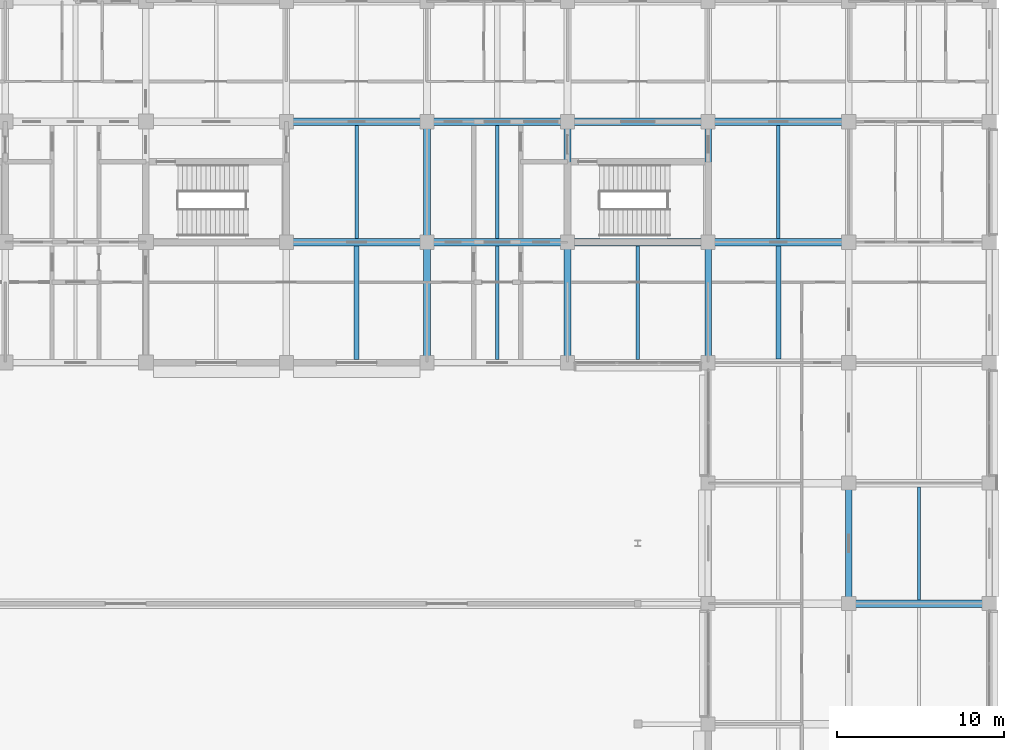
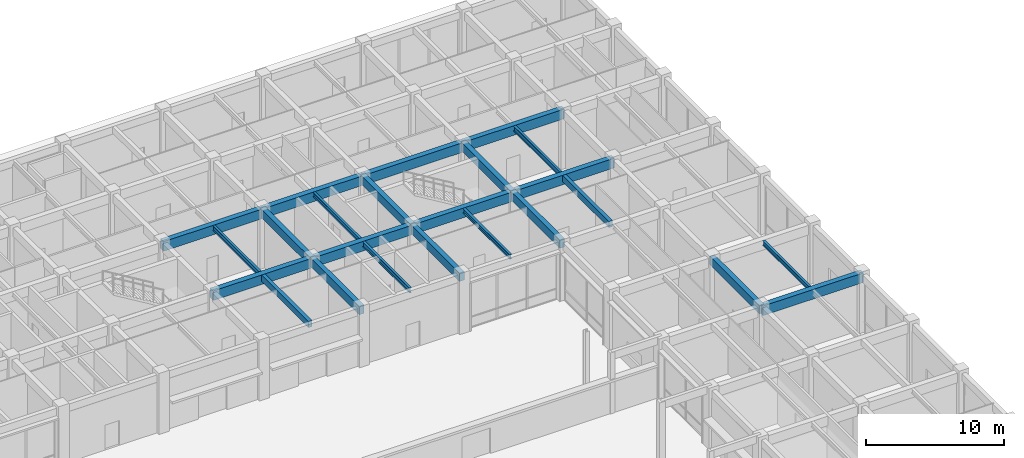
# One storey, part 29 of 73: 24 beams.
"""IFC4 building model written with IfcOpenShell, lengths in metres."""

from ifc_helpers import new_model, si_unit, direction, frame, origin, origin_2d, place, context, subcontext, project, spatial, rectangle, i_section, extrude, material, material_profile, profile_set, type_object, element, save


model = new_model("IFC4")

# Units and contexts
model_context = context("Model", 3, precision=1e-05, world=origin(), true_north=direction((0.0, 1.0)))
body_context = subcontext(model_context, "Body", "Model", "MODEL_VIEW")
ifc_project = project(units=[si_unit("LENGTHUNIT", "METRE"), si_unit("AREAUNIT", "SQUARE_METRE"), si_unit("VOLUMEUNIT", "CUBIC_METRE"), si_unit("PLANEANGLEUNIT", "RADIAN"), si_unit("MASSUNIT", "GRAM", prefix="KILO")], contexts=[model_context])

# Site, building, storey
site_placement = place(None, origin())
site = spatial("IfcSite", under=ifc_project, at=site_placement, CompositionType="ELEMENT")
building_placement = place(site_placement, origin())
building = spatial("IfcBuilding", under=site, at=building_placement, Name="Chengyuan Square Courthouse", CompositionType="ELEMENT")
storey_placement = place(building_placement, origin())
storey = spatial("IfcBuildingStorey", under=building, at=storey_placement, Name="L01", CompositionType="ELEMENT", Elevation=0.0)

# Beams
ifc_material_1 = material(Name="Concrete C40", Category="concrete")
ifc_material_profile_1 = material_profile(ifc_material_1, rectangle(XDim=0.449951171875, YDim=0.85009765625, at=origin_2d()), Name="RC-BM-450x850")
ifc_profile_set_1 = profile_set([ifc_material_profile_1], Name="Concrete C40")
beam_type_1 = type_object("IfcBeamType", Name="BM-01", PredefinedType="USERDEFINED", material=ifc_profile_set_1)
for number, where, z_axis, x_axis, name in (
    (1, (159.60009765625, 64.800048828125, 4.695068359375), (1.0, 0.0, 0.0), (0.0, 1.0, 0.0), "Girder BM-L01-1684"),
    (2, (126.0, 86.39990234375, 4.695068359375), (1.0, 0.0, 0.0), (0.0, 1.0, 0.0), "Girder BM-L01-1724"),
):
    element("IfcBeam", number, at=place(storey_placement, frame(where, z_axis=z_axis, x_axis=x_axis)), inside=storey, type_object=beam_type_1, Name=name, ObjectType="GIRDER", PredefinedType="USERDEFINED", context=body_context, shape_type="SweptSolid", body=[
        extrude(rectangle(XDim=0.449951171875, YDim=0.85009765625, at=origin_2d()), origin(), (0.0, 0.0, 1.0), 8.39990234375),
    ])
beam_1_placement = place(storey_placement, frame((134.39990234375, 86.39990234375, 4.695068359375), z_axis=(1.0, 0.0, 0.0), x_axis=(0.0, 1.0, 0.0)))
element("IfcBeam", 3, at=beam_1_placement, inside=storey, type_object=beam_type_1, Name="Girder BM-L01-1725", ObjectType="GIRDER", PredefinedType="USERDEFINED", context=body_context, shape_type="SweptSolid", body=[
    extrude(rectangle(XDim=0.449951171875, YDim=0.85009765625, at=origin_2d()), origin(), (0.0, 0.0, 1.0), 8.400146484375),
])
beam_2_placement = place(storey_placement, frame((142.800048828125, 86.39990234375, 4.695068359375), z_axis=(1.0, 0.0, 0.0), x_axis=(0.0, 1.0, 0.0)))
element("IfcBeam", 4, at=beam_2_placement, inside=storey, type_object=beam_type_1, Name="Girder BM-L01-1726", ObjectType="GIRDER", PredefinedType="USERDEFINED", context=body_context, shape_type="SweptSolid", body=[
    extrude(rectangle(XDim=0.449951171875, YDim=0.85009765625, at=origin_2d()), origin(), (0.0, 0.0, 1.0), 8.39990234375),
])
beam_3_placement = place(storey_placement, frame((151.199951171875, 86.39990234375, 4.695068359375), z_axis=(1.0, 0.0, 0.0), x_axis=(0.0, 1.0, 0.0)))
element("IfcBeam", 5, at=beam_3_placement, inside=storey, type_object=beam_type_1, Name="Girder BM-L01-1727", ObjectType="GIRDER", PredefinedType="USERDEFINED", context=body_context, shape_type="SweptSolid", body=[
    extrude(rectangle(XDim=0.449951171875, YDim=0.85009765625, at=origin_2d()), origin(), (0.0, 0.0, 1.0), 8.400146484375),
])
beam_4_placement = place(storey_placement, frame((126.0, 93.60009765625, 4.695068359375), z_axis=(1.0, 0.0, 0.0), x_axis=(0.0, 1.0, 0.0)))
element("IfcBeam", 6, at=beam_4_placement, inside=storey, type_object=beam_type_1, Name="Girder BM-L01-1744", ObjectType="GIRDER", PredefinedType="USERDEFINED", context=body_context, shape_type="SweptSolid", body=[
    extrude(rectangle(XDim=0.449951171875, YDim=0.85009765625, at=origin_2d()), origin(), (0.0, 0.0, 1.0), 8.39990234375),
])
beam_5_placement = place(storey_placement, frame((134.39990234375, 93.60009765625, 4.695068359375), z_axis=(1.0, 0.0, 0.0), x_axis=(0.0, 1.0, 0.0)))
element("IfcBeam", 7, at=beam_5_placement, inside=storey, type_object=beam_type_1, Name="Girder BM-L01-1745", ObjectType="GIRDER", PredefinedType="USERDEFINED", context=body_context, shape_type="SweptSolid", body=[
    extrude(rectangle(XDim=0.449951171875, YDim=0.85009765625, at=origin_2d()), origin(), (0.0, 0.0, 1.0), 8.400146484375),
])
beam_6_placement = place(storey_placement, frame((142.800048828125, 93.60009765625, 4.695068359375), z_axis=(1.0, 0.0, 0.0), x_axis=(0.0, 1.0, 0.0)))
element("IfcBeam", 8, at=beam_6_placement, inside=storey, type_object=beam_type_1, Name="Girder BM-L01-1746", ObjectType="GIRDER", PredefinedType="USERDEFINED", context=body_context, shape_type="SweptSolid", body=[
    extrude(rectangle(XDim=0.449951171875, YDim=0.85009765625, at=origin_2d()), origin(), (0.0, 0.0, 1.0), 8.39990234375),
])
beam_7_placement = place(storey_placement, frame((151.199951171875, 93.60009765625, 4.695068359375), z_axis=(1.0, 0.0, 0.0), x_axis=(0.0, 1.0, 0.0)))
element("IfcBeam", 9, at=beam_7_placement, inside=storey, type_object=beam_type_1, Name="Girder BM-L01-1747", ObjectType="GIRDER", PredefinedType="USERDEFINED", context=body_context, shape_type="SweptSolid", body=[
    extrude(rectangle(XDim=0.449951171875, YDim=0.85009765625, at=origin_2d()), origin(), (0.0, 0.0, 1.0), 8.400146484375),
])
ifc_material_profile_2 = material_profile(ifc_material_1, rectangle(XDim=0.39990234375, YDim=0.75, at=origin_2d()), Name="RC-BM-400x750")
ifc_profile_set_2 = profile_set([ifc_material_profile_2], Name="Concrete C40")
beam_type_2 = type_object("IfcBeamType", Name="BM-02", PredefinedType="USERDEFINED", material=ifc_profile_set_2)
beam_8_placement = place(storey_placement, frame((134.39990234375, 79.199951171875, 4.7451171875), z_axis=(0.0, 1.0, 0.0), x_axis=(-1.0, 0.0, 0.0)))
element("IfcBeam", 10, at=beam_8_placement, inside=storey, type_object=beam_type_2, Name="Girder BM-L01-1904", ObjectType="GIRDER", PredefinedType="USERDEFINED", context=body_context, shape_type="SweptSolid", body=[
    extrude(rectangle(XDim=0.39990234375, YDim=0.75, at=origin_2d()), origin(), (0.0, 0.0, 1.0), 7.199951171875),
])
beam_9_placement = place(storey_placement, frame((134.39990234375, 86.39990234375, 4.7451171875), z_axis=(0.0, 1.0, 0.0), x_axis=(-1.0, 0.0, 0.0)))
element("IfcBeam", 11, at=beam_9_placement, inside=storey, type_object=beam_type_2, Name="Girder BM-L01-1905", ObjectType="GIRDER", PredefinedType="USERDEFINED", context=body_context, shape_type="SweptSolid", body=[
    extrude(rectangle(XDim=0.39990234375, YDim=0.75, at=origin_2d()), origin(), (0.0, 0.0, 1.0), 7.2001953125),
])
beam_10_placement = place(storey_placement, frame((142.800048828125, 79.199951171875, 4.7451171875), z_axis=(0.0, 1.0, 0.0), x_axis=(-1.0, 0.0, 0.0)))
element("IfcBeam", 12, at=beam_10_placement, inside=storey, type_object=beam_type_2, Name="Girder BM-L01-1908", ObjectType="GIRDER", PredefinedType="USERDEFINED", context=body_context, shape_type="SweptSolid", body=[
    extrude(rectangle(XDim=0.39990234375, YDim=0.75, at=origin_2d()), origin(), (0.0, 0.0, 1.0), 7.199951171875),
])
beam_11_placement = place(storey_placement, frame((142.800048828125, 86.39990234375, 4.7451171875), z_axis=(0.0, 1.0, 0.0), x_axis=(-1.0, 0.0, 0.0)))
element("IfcBeam", 13, at=beam_11_placement, inside=storey, type_object=beam_type_2, Name="Girder BM-L01-1909", ObjectType="GIRDER", PredefinedType="USERDEFINED", context=body_context, shape_type="SweptSolid", body=[
    extrude(rectangle(XDim=0.39990234375, YDim=0.75, at=origin_2d()), origin(), (0.0, 0.0, 1.0), 7.2001953125),
])
beam_12_placement = place(storey_placement, frame((151.199951171875, 79.199951171875, 4.7451171875), z_axis=(0.0, 1.0, 0.0), x_axis=(-1.0, 0.0, 0.0)))
element("IfcBeam", 14, at=beam_12_placement, inside=storey, type_object=beam_type_2, Name="Girder BM-L01-1923", ObjectType="GIRDER", PredefinedType="USERDEFINED", context=body_context, shape_type="SweptSolid", body=[
    extrude(rectangle(XDim=0.39990234375, YDim=0.75, at=origin_2d()), origin(), (0.0, 0.0, 1.0), 7.199951171875),
])
beam_13_placement = place(storey_placement, frame((151.199951171875, 86.39990234375, 4.7451171875), z_axis=(0.0, 1.0, 0.0), x_axis=(-1.0, 0.0, 0.0)))
element("IfcBeam", 15, at=beam_13_placement, inside=storey, type_object=beam_type_2, Name="Girder BM-L01-1924", ObjectType="GIRDER", PredefinedType="USERDEFINED", context=body_context, shape_type="SweptSolid", body=[
    extrude(rectangle(XDim=0.39990234375, YDim=0.75, at=origin_2d()), origin(), (0.0, 0.0, 1.0), 7.2001953125),
])
beam_14_placement = place(storey_placement, frame((159.60009765625, 64.800048828125, 4.7451171875), z_axis=(0.0, 1.0, 0.0), x_axis=(-1.0, 0.0, 0.0)))
element("IfcBeam", 16, at=beam_14_placement, inside=storey, type_object=beam_type_2, Name="Girder BM-L01-1936", ObjectType="GIRDER", PredefinedType="USERDEFINED", context=body_context, shape_type="SweptSolid", body=[
    extrude(rectangle(XDim=0.39990234375, YDim=0.75, at=origin_2d()), origin(), (0.0, 0.0, 1.0), 7.199951171875),
])
ifc_material_profile_3 = material_profile(ifc_material_1, rectangle(XDim=0.300048828125, YDim=0.550048828125, at=origin_2d()), Name="RC-BM-300x550")
ifc_profile_set_3 = profile_set([ifc_material_profile_3], Name="Concrete C40")
beam_type_3 = type_object("IfcBeamType", Name="BM-04", PredefinedType="BEAM", material=ifc_profile_set_3)
beam_15_placement = place(storey_placement, frame((130.199951171875, 79.375, 4.844970703125), z_axis=(0.0, 1.0, 0.0), x_axis=(-1.0, 0.0, 0.0)))
element("IfcBeam", 17, at=beam_15_placement, inside=storey, type_object=beam_type_3, Name="Secondary Floor Beam SBM-L01-2031", PredefinedType="BEAM", context=body_context, shape_type="SweptSolid", body=[
    extrude(rectangle(XDim=0.300048828125, YDim=0.550048828125, at=origin_2d()), origin(), (0.0, 0.0, 1.0), 6.800048828125),
])
beam_16_placement = place(storey_placement, frame((155.39990234375, 79.425048828125, 4.844970703125), z_axis=(0.0, 1.0, 0.0), x_axis=(-1.0, 0.0, 0.0)))
element("IfcBeam", 18, at=beam_16_placement, inside=storey, type_object=beam_type_3, Name="Secondary Floor Beam SBM-L01-2052", PredefinedType="BEAM", context=body_context, shape_type="SweptSolid", body=[
    extrude(rectangle(XDim=0.300048828125, YDim=0.550048828125, at=origin_2d()), origin(), (0.0, 0.0, 1.0), 6.75),
])
ifc_material_2 = material(Name="Steel Q355B", Category="steel")
ifc_material_profile_4 = material_profile(ifc_material_2, i_section(OverallWidth=0.199951171875, OverallDepth=0.449951171875, WebThickness=0.009033203125, FlangeThickness=0.013916015625, at=origin_2d()), Name="HN 450x200x9x14")
ifc_profile_set_4 = profile_set([ifc_material_profile_4], Name="Steel Q355B")
beam_type_4 = type_object("IfcBeamType", Name="BM-06", PredefinedType="BEAM", material=ifc_profile_set_4)
beam_17_placement = place(storey_placement, frame((130.199951171875, 86.625, 4.89501953125), z_axis=(0.0, 1.0, 0.0), x_axis=(-1.0, 0.0, 0.0)))
element("IfcBeam", 19, at=beam_17_placement, inside=storey, type_object=beam_type_4, Name="Secondary Floor Beam SBM-L01-2032", PredefinedType="BEAM", context=body_context, shape_type="SweptSolid", body=[
    extrude(i_section(OverallWidth=0.199951171875, OverallDepth=0.449951171875, WebThickness=0.009033203125, FlangeThickness=0.013916015625, at=origin_2d()), origin(), (0.0, 0.0, 1.0), 6.75),
])
beam_18_placement = place(storey_placement, frame((138.60009765625, 79.375, 4.89501953125), z_axis=(0.0, 1.0, 0.0), x_axis=(-1.0, 0.0, 0.0)))
element("IfcBeam", 20, at=beam_18_placement, inside=storey, type_object=beam_type_4, Name="Secondary Floor Beam SBM-L01-2035", PredefinedType="BEAM", context=body_context, shape_type="SweptSolid", body=[
    extrude(i_section(OverallWidth=0.199951171875, OverallDepth=0.449951171875, WebThickness=0.009033203125, FlangeThickness=0.013916015625, at=origin_2d()), origin(), (0.0, 0.0, 1.0), 6.800048828125),
])
beam_19_placement = place(storey_placement, frame((155.39990234375, 86.625, 4.89501953125), z_axis=(0.0, 1.0, 0.0), x_axis=(-1.0, 0.0, 0.0)))
element("IfcBeam", 21, at=beam_19_placement, inside=storey, type_object=beam_type_4, Name="Secondary Floor Beam SBM-L01-2053", PredefinedType="BEAM", context=body_context, shape_type="SweptSolid", body=[
    extrude(i_section(OverallWidth=0.199951171875, OverallDepth=0.449951171875, WebThickness=0.009033203125, FlangeThickness=0.013916015625, at=origin_2d()), origin(), (0.0, 0.0, 1.0), 6.75),
])
ifc_material_profile_5 = material_profile(ifc_material_2, i_section(OverallWidth=0.199951171875, OverallDepth=0.39990234375, WebThickness=0.008056640625, FlangeThickness=0.012939453125, at=origin_2d()), Name="HN 400x200x8x13")
ifc_profile_set_5 = profile_set([ifc_material_profile_5], Name="Steel Q355B")
beam_type_5 = type_object("IfcBeamType", Name="BM-07", PredefinedType="BEAM", material=ifc_profile_set_5)
beam_20_placement = place(storey_placement, frame((138.60009765625, 86.625, 4.919921875), z_axis=(0.0, 1.0, 0.0), x_axis=(-1.0, 0.0, 0.0)))
element("IfcBeam", 22, at=beam_20_placement, inside=storey, type_object=beam_type_5, Name="Secondary Floor Beam SBM-L01-2036", PredefinedType="BEAM", context=body_context, shape_type="SweptSolid", body=[
    extrude(i_section(OverallWidth=0.199951171875, OverallDepth=0.39990234375, WebThickness=0.008056640625, FlangeThickness=0.012939453125, at=origin_2d()), origin(), (0.0, 0.0, 1.0), 6.75),
])
beam_21_placement = place(storey_placement, frame((147.0, 79.375, 4.919921875), z_axis=(0.0, 1.0, 0.0), x_axis=(-1.0, 0.0, 0.0)))
element("IfcBeam", 23, at=beam_21_placement, inside=storey, type_object=beam_type_5, Name="Secondary Floor Beam SBM-L01-2039", PredefinedType="BEAM", context=body_context, shape_type="SweptSolid", body=[
    extrude(i_section(OverallWidth=0.199951171875, OverallDepth=0.39990234375, WebThickness=0.008056640625, FlangeThickness=0.012939453125, at=origin_2d()), origin(), (0.0, 0.0, 1.0), 6.800048828125),
])
beam_22_placement = place(storey_placement, frame((163.800048828125, 65.02490234375, 4.919921875), z_axis=(0.0, 1.0, 0.0), x_axis=(-1.0, 0.0, 0.0)))
element("IfcBeam", 24, at=beam_22_placement, inside=storey, type_object=beam_type_5, Name="Secondary Floor Beam SBM-L01-2065", PredefinedType="BEAM", context=body_context, shape_type="SweptSolid", body=[
    extrude(i_section(OverallWidth=0.199951171875, OverallDepth=0.39990234375, WebThickness=0.008056640625, FlangeThickness=0.012939453125, at=origin_2d()), origin(), (0.0, 0.0, 1.0), 6.75),
])

save(model, "model.ifc")
